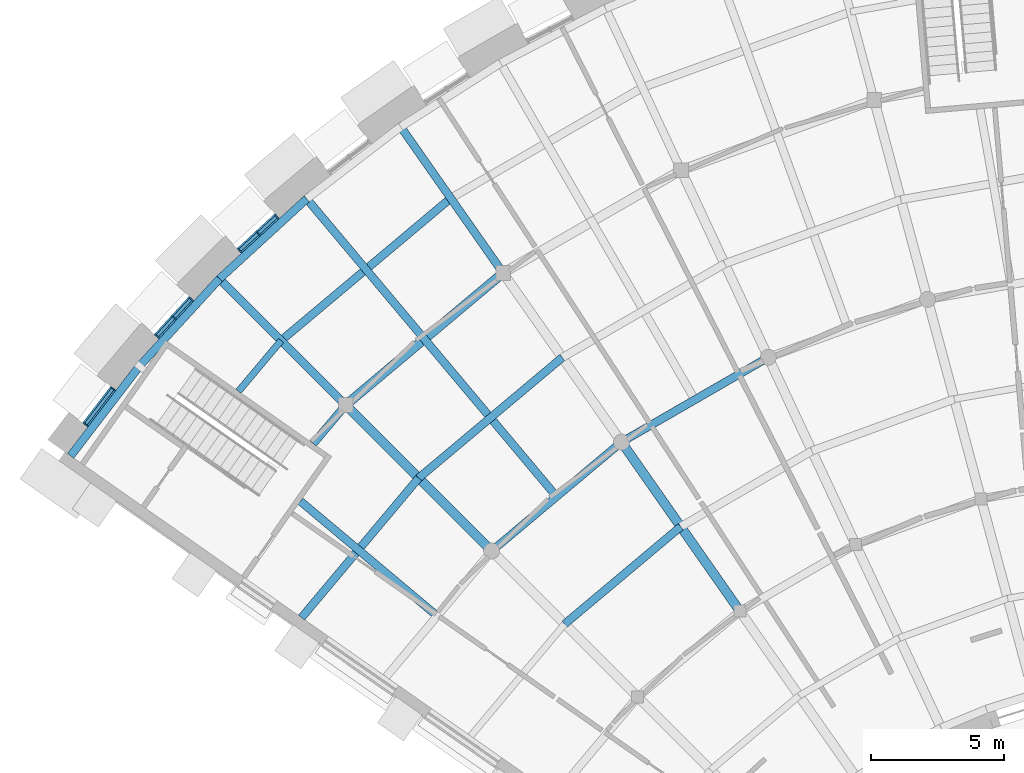
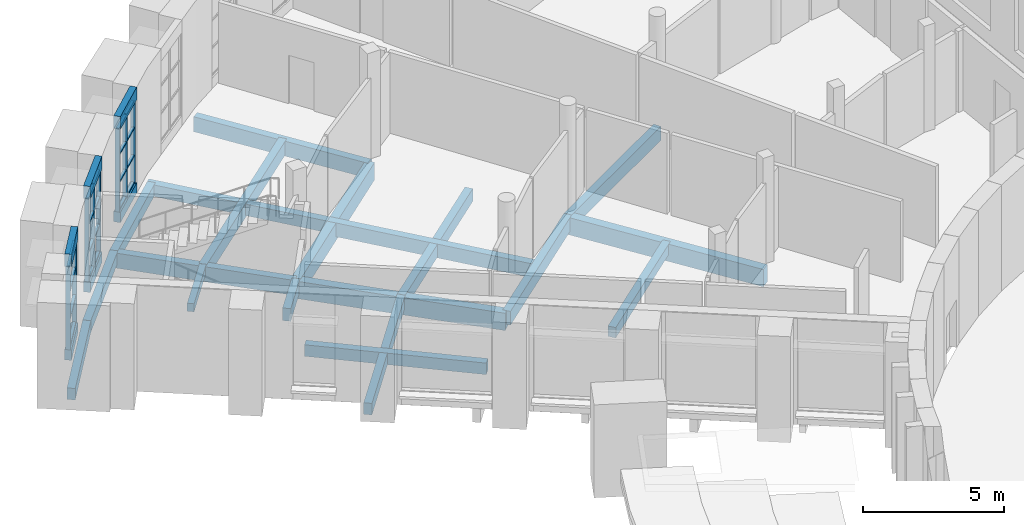
# One storey, part 9 of 50: 28 members, 25 beams, 3 elements without a shape of their own.
"""IFC4 building model written with IfcOpenShell, lengths in metres."""

from ifc_helpers import new_model, si_unit, direction, frame, origin, origin_2d, place, context, subcontext, project, spatial, rectangle, extrude, material, layer, layer_set, material_profile, profile_set, type_object, element, aggregate, save


model = new_model("IFC4")

# Units and contexts
model_context = context("Model", 3, precision=1e-05, world=origin(), true_north=direction((0.0, 1.0)))
body_context = subcontext(model_context, "Body", "Model", "MODEL_VIEW")
ifc_project = project(units=[si_unit("LENGTHUNIT", "METRE"), si_unit("AREAUNIT", "SQUARE_METRE"), si_unit("VOLUMEUNIT", "CUBIC_METRE"), si_unit("PLANEANGLEUNIT", "RADIAN"), si_unit("MASSUNIT", "GRAM", prefix="KILO")], contexts=[model_context])

# Site, building, storey
site_placement = place(None, origin())
site = spatial("IfcSite", under=ifc_project, at=site_placement, CompositionType="ELEMENT")
building_placement = place(site_placement, origin())
building = spatial("IfcBuilding", under=site, at=building_placement, Name="Volute Hill Aquarium", CompositionType="ELEMENT")
storey_placement = place(building_placement, frame((0.0, 0.0, 9.199951171875)))
storey = spatial("IfcBuildingStorey", under=building, at=storey_placement, Name="L03", CompositionType="ELEMENT", Elevation=9.199951171875)

# Beams
ifc_material_1 = material(Name="Concrete C35/45", Category="concrete")
ifc_material_profile_1 = material_profile(ifc_material_1, rectangle(XDim=0.300048828125, YDim=0.550048828125, at=origin_2d()), Name="RC beam 300x550")
ifc_profile_set_1 = profile_set([ifc_material_profile_1], Name="Concrete C35/45")
beam_type_1 = type_object("IfcBeamType", Name="Beam 300x550 C35/45", PredefinedType="BEAM", material=ifc_profile_set_1)
beam_1_placement = place(storey_placement, frame((-31.28955078125, 31.28955078125, -0.594970703125), z_axis=(-0.642771154276, -0.766058250547, 0.0), x_axis=(0.766058250547, -0.642771154276, 0.0)))
element("IfcBeam", 1, at=beam_1_placement, inside=storey, type_object=beam_type_1, Name="bm/S6/L03/ring3.31", PredefinedType="BEAM", context=body_context, shape_type="SweptSolid", body=[
    extrude(rectangle(XDim=0.300048828125, YDim=0.550048828125, at=origin_2d()), origin(), (0.0, 0.0, 1.0), 1.89111328125),
])
ifc_material_2 = material(Name="Concrete C35/45", Category="concrete")
ifc_material_profile_2 = material_profile(ifc_material_2, rectangle(XDim=0.300048828125, YDim=0.60009765625, at=origin_2d()), Name="RC beam 300x600")
ifc_profile_set_2 = profile_set([ifc_material_profile_2], Name="Concrete C35/45")
beam_type_2 = type_object("IfcBeamType", Name="Beam 300x600 C35/45", PredefinedType="BEAM", material=ifc_profile_set_2)
for number, where, z_axis, x_axis, name in (
    (2, (-15.425537109375, 33.080078125, -0.619873046875), (-0.866029029746, -0.499993719597, 0.0), (0.499993719597, -0.866029029746, 0.0), "bm/S6/L03/ring2.24"),
    (3, (-20.935546875, 29.89892578125, -0.619873046875), (-0.766043421596, -0.642788827088, 0.0), (0.642788827088, -0.766043421596, 0.0), "bm/S6/L03/ring2.25"),
):
    element("IfcBeam", number, at=place(storey_placement, frame(where, z_axis=z_axis, x_axis=x_axis)), inside=storey, type_object=beam_type_2, Name=name, PredefinedType="BEAM", context=body_context, shape_type="SweptSolid", body=[
        extrude(rectangle(XDim=0.300048828125, YDim=0.60009765625, at=origin_2d()), origin(), (0.0, 0.0, 1.0), 6.3623046875),
    ])
ifc_material_3 = material(Name="Concrete C35/45", Category="concrete")
ifc_material_profile_3 = material_profile(ifc_material_3, rectangle(XDim=0.300048828125, YDim=0.64990234375, at=origin_2d()), Name="RC beam 300x650")
ifc_profile_set_3 = profile_set([ifc_material_profile_3], Name="Concrete C35/45")
beam_type_3 = type_object("IfcBeamType", Name="Beam 300x650 C35/45", PredefinedType="BEAM", material=ifc_profile_set_3)
beam_2_placement = place(storey_placement, frame((-25.380859375, 36.24755859375, -0.64501953125), z_axis=(-0.573579548978, 0.819149864796, 0.0), x_axis=(-0.819149864796, -0.573579548978, 0.0)))
element("IfcBeam", 4, at=beam_2_placement, inside=storey, type_object=beam_type_3, Name="bm/S6/L03/rad3.12", PredefinedType="BEAM", context=body_context, shape_type="SweptSolid", body=[
    extrude(rectangle(XDim=0.300048828125, YDim=0.64990234375, at=origin_2d()), origin(), (0.0, 0.0, 1.0), 6.849853515625),
])
beam_3_placement = place(storey_placement, frame((-31.28955078125, 31.28955078125, -0.64501953125), z_axis=(-0.707106781187, 0.707106781187, 0.0), x_axis=(-0.707106781187, -0.707106781187, 0.0)))
element("IfcBeam", 5, at=beam_3_placement, inside=storey, type_object=beam_type_3, Name="bm/S6/L03/rad4.16", PredefinedType="BEAM", context=body_context, shape_type="SweptSolid", body=[
    extrude(rectangle(XDim=0.300048828125, YDim=0.64990234375, at=origin_2d()), origin(), (0.0, 0.0, 1.0), 6.85009765625),
])
ifc_material_4 = material(Name="Concrete C35/45", Category="concrete")
ifc_material_profile_4 = material_profile(ifc_material_4, rectangle(XDim=0.35009765625, YDim=0.75, at=origin_2d()), Name="RC beam 350x750")
ifc_profile_set_4 = profile_set([ifc_material_profile_4], Name="Concrete C35/45")
beam_type_4 = type_object("IfcBeamType", Name="Beam 350x750 C35/45", PredefinedType="BEAM", material=ifc_profile_set_4)
beam_4_placement = place(storey_placement, frame((-16.490234375, 23.550537109375, -0.695068359375), z_axis=(-0.573587076888, 0.819144593602, 0.0), x_axis=(-0.819144593602, -0.573587076888, 0.0)))
element("IfcBeam", 6, at=beam_4_placement, inside=storey, type_object=beam_type_4, Name="bm/S6/L03/rad3.10", PredefinedType="BEAM", context=body_context, shape_type="SweptSolid", body=[
    extrude(rectangle(XDim=0.35009765625, YDim=0.75, at=origin_2d()), origin(), (0.0, 0.0, 1.0), 7.75),
])
beam_5_placement = place(storey_placement, frame((-25.809326171875, 25.809326171875, -0.695068359375), z_axis=(-0.707106781187, 0.707106781187, 0.0), x_axis=(-0.707106781187, -0.707106781187, 0.0)))
element("IfcBeam", 7, at=beam_5_placement, inside=storey, type_object=beam_type_4, Name="bm/S6/L03/rad4.15", PredefinedType="BEAM", context=body_context, shape_type="SweptSolid", body=[
    extrude(rectangle(XDim=0.35009765625, YDim=0.75, at=origin_2d()), origin(), (0.0, 0.0, 1.0), 7.750244140625),
])
beam_6_placement = place(storey_placement, frame((-25.380859375, 36.24755859375, -0.695068359375), z_axis=(-0.766042717383, -0.642789666334, 0.0), x_axis=(0.642789666334, -0.766042717383, 0.0)))
element("IfcBeam", 8, at=beam_6_placement, inside=storey, type_object=beam_type_4, Name="bm/S6/L03/ring3.30", PredefinedType="BEAM", context=body_context, shape_type="SweptSolid", body=[
    extrude(rectangle(XDim=0.35009765625, YDim=0.75, at=origin_2d()), origin(), (0.0, 0.0, 1.0), 7.71337890625),
])

# Curtain wall, members
ifc_material_5 = material(Name="Aluminium", Category="aluminium")
ifc_layer_1 = layer(ifc_material_5, 0.25)
ifc_layer_set_1 = layer_set([ifc_layer_1], Name="Curtain wall niche S6 module 967")
curtain_wall_type_1 = type_object("IfcCurtainWallType", Name="Curtain wall niche S6 module 967", PredefinedType="NOTDEFINED", material=ifc_layer_set_1)
curtain_wall_1_placement = place(storey_placement, origin())
curtain_wall_1 = element("IfcCurtainWall", 9, at=curtain_wall_1_placement, inside=storey, type_object=curtain_wall_type_1, Name="Curtain wall CW S6 L03 8", PredefinedType="NOTDEFINED")
ifc_material_6 = material(Name="Aluminium", Category="aluminium")
ifc_material_profile_5 = material_profile(ifc_material_6, rectangle(XDim=0.169921875, YDim=0.050048828125, at=origin_2d()), Name="Curtain wall mullion S6 50x170")
ifc_profile_set_5 = profile_set([ifc_material_profile_5], Name="Aluminium")
member_type_1 = type_object("IfcMemberType", Name="Curtain wall mullion S6 50x170", PredefinedType="MULLION", material=ifc_profile_set_5)
member_1_placement = place(storey_placement, frame((-33.879638671875, 38.3671875, 0.449951171875), z_axis=(0.0, 0.0, 1.0), x_axis=(0.675582007635, -0.737284850624, 0.0)))
member_1 = element("IfcMember", 10, at=member_1_placement, type_object=member_type_1, Name="CW mullion 1", PredefinedType="MULLION", context=body_context, shape_type="SweptSolid", body=[
    extrude(rectangle(XDim=0.169921875, YDim=0.050048828125, at=origin_2d()), origin(), (0.0, 0.0, 1.0), 3.60009765625),
])
member_2_placement = place(storey_placement, frame((-34.573974609375, 37.73095703125, 0.449951171875), z_axis=(0.0, 0.0, 1.0), x_axis=(0.675582007635, -0.737284850624, 0.0)))
member_2 = element("IfcMember", 11, at=member_2_placement, type_object=member_type_1, Name="CW mullion 2", PredefinedType="MULLION", context=body_context, shape_type="SweptSolid", body=[
    extrude(rectangle(XDim=0.169921875, YDim=0.050048828125, at=origin_2d()), origin(), (0.0, 0.0, 1.0), 3.60009765625),
])
member_3_placement = place(storey_placement, frame((-35.268310546875, 37.094482421875, 0.449951171875), z_axis=(0.0, 0.0, 1.0), x_axis=(0.675582007635, -0.737284850624, 0.0)))
member_3 = element("IfcMember", 12, at=member_3_placement, type_object=member_type_1, Name="CW mullion 3", PredefinedType="MULLION", context=body_context, shape_type="SweptSolid", body=[
    extrude(rectangle(XDim=0.169921875, YDim=0.050048828125, at=origin_2d()), origin(), (0.0, 0.0, 1.0), 3.60009765625),
])

curtain_wall_2_placement = place(storey_placement, origin())
curtain_wall_2 = element("IfcCurtainWall", 13, at=curtain_wall_2_placement, inside=storey, type_object=curtain_wall_type_1, Name="Curtain wall CW S6 L03 9", PredefinedType="NOTDEFINED")
member_4_placement = place(storey_placement, frame((-37.094482421875, 35.268310546875, 0.449951171875), z_axis=(0.0, 0.0, 1.0), x_axis=(0.737284850624, -0.675582007635, 0.0)))
member_4 = element("IfcMember", 14, at=member_4_placement, type_object=member_type_1, Name="CW mullion 1", PredefinedType="MULLION", context=body_context, shape_type="SweptSolid", body=[
    extrude(rectangle(XDim=0.169921875, YDim=0.050048828125, at=origin_2d()), origin(), (0.0, 0.0, 1.0), 3.60009765625),
])
member_5_placement = place(storey_placement, frame((-37.73095703125, 34.573974609375, 0.449951171875), z_axis=(0.0, 0.0, 1.0), x_axis=(0.737284850624, -0.675582007635, 0.0)))
member_5 = element("IfcMember", 15, at=member_5_placement, type_object=member_type_1, Name="CW mullion 2", PredefinedType="MULLION", context=body_context, shape_type="SweptSolid", body=[
    extrude(rectangle(XDim=0.169921875, YDim=0.050048828125, at=origin_2d()), origin(), (0.0, 0.0, 1.0), 3.60009765625),
])
member_6_placement = place(storey_placement, frame((-38.3671875, 33.879638671875, 0.449951171875), z_axis=(0.0, 0.0, 1.0), x_axis=(0.737284850624, -0.675582007635, 0.0)))
member_6 = element("IfcMember", 16, at=member_6_placement, type_object=member_type_1, Name="CW mullion 3", PredefinedType="MULLION", context=body_context, shape_type="SweptSolid", body=[
    extrude(rectangle(XDim=0.169921875, YDim=0.050048828125, at=origin_2d()), origin(), (0.0, 0.0, 1.0), 3.60009765625),
])

ifc_material_7 = material(Name="Aluminium", Category="aluminium")
ifc_layer_2 = layer(ifc_material_7, 0.25)
ifc_layer_set_2 = layer_set([ifc_layer_2], Name="Curtain wall niche S6 module 1734")
curtain_wall_type_2 = type_object("IfcCurtainWallType", Name="Curtain wall niche S6 module 1734", PredefinedType="NOTDEFINED", material=ifc_layer_set_2)
curtain_wall_3_placement = place(storey_placement, origin())
curtain_wall_3 = element("IfcCurtainWall", 17, at=curtain_wall_3_placement, inside=storey, type_object=curtain_wall_type_2, Name="Curtain wall CW S6 L03 10", PredefinedType="NOTDEFINED")
member_7_placement = place(storey_placement, frame((-40.02734375, 31.901123046875, 0.449951171875), z_axis=(0.0, 0.0, 1.0), x_axis=(0.79334910739, -0.608766945394, 0.0)))
member_7 = element("IfcMember", 18, at=member_7_placement, type_object=member_type_1, Name="CW mullion 1", PredefinedType="MULLION", context=body_context, shape_type="SweptSolid", body=[
    extrude(rectangle(XDim=0.169921875, YDim=0.050048828125, at=origin_2d()), origin(), (0.0, 0.0, 1.0), 3.60009765625),
])
member_8_placement = place(storey_placement, frame((-41.052001953125, 30.5654296875, 0.449951171875), z_axis=(0.0, 0.0, 1.0), x_axis=(0.79334910739, -0.608766945394, 0.0)))
member_8 = element("IfcMember", 19, at=member_8_placement, type_object=member_type_1, Name="CW mullion 2", PredefinedType="MULLION", context=body_context, shape_type="SweptSolid", body=[
    extrude(rectangle(XDim=0.169921875, YDim=0.050048828125, at=origin_2d()), origin(), (0.0, 0.0, 1.0), 3.60009765625),
])

# Member
ifc_material_8 = material(Name="Aluminium", Category="aluminium")
ifc_material_profile_6 = material_profile(ifc_material_8, rectangle(XDim=0.1201171875, YDim=0.050048828125, at=origin_2d()), Name="Curtain wall transom S6 50x120")
ifc_profile_set_6 = profile_set([ifc_material_profile_6], Name="Aluminium")
member_type_2 = type_object("IfcMemberType", Name="Curtain wall transom S6 50x120", PredefinedType="USERDEFINED", material=ifc_profile_set_6)
member_9_placement = place(storey_placement, frame((-33.89794921875, 38.350341796875, 0.47509765625), z_axis=(-0.737358609817, -0.67550150298, 0.0), x_axis=(0.67550150298, -0.737358609817, 0.0)))
member_9 = element("IfcMember", 20, at=member_9_placement, type_object=member_type_2, Name="CW transom 1.1", ObjectType="TRANSOM", PredefinedType="USERDEFINED", context=body_context, shape_type="SweptSolid", body=[
    extrude(rectangle(XDim=0.1201171875, YDim=0.050048828125, at=origin_2d()), origin(), (0.0, 0.0, 1.0), 0.89208984375),
])

member_10_placement = place(storey_placement, frame((-33.89794921875, 38.350341796875, 1.650146484375), z_axis=(-0.737358609817, -0.67550150298, 0.0), x_axis=(0.67550150298, -0.737358609817, 0.0)))
member_10 = element("IfcMember", 21, at=member_10_placement, type_object=member_type_2, Name="CW transom 1.2", ObjectType="TRANSOM", PredefinedType="USERDEFINED", context=body_context, shape_type="SweptSolid", body=[
    extrude(rectangle(XDim=0.1201171875, YDim=0.050048828125, at=origin_2d()), origin(), (0.0, 0.0, 1.0), 0.89208984375),
])

member_11_placement = place(storey_placement, frame((-33.89794921875, 38.350341796875, 2.85009765625), z_axis=(-0.737358609817, -0.67550150298, 0.0), x_axis=(0.67550150298, -0.737358609817, 0.0)))
member_11 = element("IfcMember", 22, at=member_11_placement, type_object=member_type_2, Name="CW transom 1.3", ObjectType="TRANSOM", PredefinedType="USERDEFINED", context=body_context, shape_type="SweptSolid", body=[
    extrude(rectangle(XDim=0.1201171875, YDim=0.050048828125, at=origin_2d()), origin(), (0.0, 0.0, 1.0), 0.89208984375),
])

member_12_placement = place(storey_placement, frame((-33.89794921875, 38.350341796875, 4.025146484375), z_axis=(-0.737358609817, -0.67550150298, 0.0), x_axis=(0.67550150298, -0.737358609817, 0.0)))
member_12 = element("IfcMember", 23, at=member_12_placement, type_object=member_type_2, Name="CW transom 1.4", ObjectType="TRANSOM", PredefinedType="USERDEFINED", context=body_context, shape_type="SweptSolid", body=[
    extrude(rectangle(XDim=0.1201171875, YDim=0.050048828125, at=origin_2d()), origin(), (0.0, 0.0, 1.0), 0.89208984375),
])

member_13_placement = place(storey_placement, frame((-34.592529296875, 37.714111328125, 0.47509765625), z_axis=(-0.737097330145, -0.675786597894, 0.0), x_axis=(0.675786597894, -0.737097330145, 0.0)))
member_13 = element("IfcMember", 24, at=member_13_placement, type_object=member_type_2, Name="CW transom 2.1", ObjectType="TRANSOM", PredefinedType="USERDEFINED", context=body_context, shape_type="SweptSolid", body=[
    extrude(rectangle(XDim=0.1201171875, YDim=0.050048828125, at=origin_2d()), origin(), (0.0, 0.0, 1.0), 0.89208984375),
])

member_14_placement = place(storey_placement, frame((-34.592529296875, 37.714111328125, 1.650146484375), z_axis=(-0.737097330145, -0.675786597894, 0.0), x_axis=(0.675786597894, -0.737097330145, 0.0)))
member_14 = element("IfcMember", 25, at=member_14_placement, type_object=member_type_2, Name="CW transom 2.2", ObjectType="TRANSOM", PredefinedType="USERDEFINED", context=body_context, shape_type="SweptSolid", body=[
    extrude(rectangle(XDim=0.1201171875, YDim=0.050048828125, at=origin_2d()), origin(), (0.0, 0.0, 1.0), 0.89208984375),
])

member_15_placement = place(storey_placement, frame((-34.592529296875, 37.714111328125, 2.85009765625), z_axis=(-0.737097330145, -0.675786597894, 0.0), x_axis=(0.675786597894, -0.737097330145, 0.0)))
member_15 = element("IfcMember", 26, at=member_15_placement, type_object=member_type_2, Name="CW transom 2.3", ObjectType="TRANSOM", PredefinedType="USERDEFINED", context=body_context, shape_type="SweptSolid", body=[
    extrude(rectangle(XDim=0.1201171875, YDim=0.050048828125, at=origin_2d()), origin(), (0.0, 0.0, 1.0), 0.89208984375),
])

member_16_placement = place(storey_placement, frame((-34.592529296875, 37.714111328125, 4.025146484375), z_axis=(-0.737097330145, -0.675786597894, 0.0), x_axis=(0.675786597894, -0.737097330145, 0.0)))
member_16 = element("IfcMember", 27, at=member_16_placement, type_object=member_type_2, Name="CW transom 2.4", ObjectType="TRANSOM", PredefinedType="USERDEFINED", context=body_context, shape_type="SweptSolid", body=[
    extrude(rectangle(XDim=0.1201171875, YDim=0.050048828125, at=origin_2d()), origin(), (0.0, 0.0, 1.0), 0.89208984375),
])

aggregate(curtain_wall_1, [member_1, member_2, member_3, member_9, member_10, member_11, member_12, member_13, member_14, member_15, member_16])

member_17_placement = place(storey_placement, frame((-37.111328125, 35.25, 0.47509765625), z_axis=(-0.675786597894, -0.737097330145, 0.0), x_axis=(0.737097330145, -0.675786597894, 0.0)))
member_17 = element("IfcMember", 28, at=member_17_placement, type_object=member_type_2, Name="CW transom 1.1", ObjectType="TRANSOM", PredefinedType="USERDEFINED", context=body_context, shape_type="SweptSolid", body=[
    extrude(rectangle(XDim=0.1201171875, YDim=0.050048828125, at=origin_2d()), origin(), (0.0, 0.0, 1.0), 0.89208984375),
])

member_18_placement = place(storey_placement, frame((-37.111328125, 35.25, 1.650146484375), z_axis=(-0.675786597894, -0.737097330145, 0.0), x_axis=(0.737097330145, -0.675786597894, 0.0)))
member_18 = element("IfcMember", 29, at=member_18_placement, type_object=member_type_2, Name="CW transom 1.2", ObjectType="TRANSOM", PredefinedType="USERDEFINED", context=body_context, shape_type="SweptSolid", body=[
    extrude(rectangle(XDim=0.1201171875, YDim=0.050048828125, at=origin_2d()), origin(), (0.0, 0.0, 1.0), 0.89208984375),
])

member_19_placement = place(storey_placement, frame((-37.111328125, 35.25, 2.85009765625), z_axis=(-0.675786597894, -0.737097330145, 0.0), x_axis=(0.737097330145, -0.675786597894, 0.0)))
member_19 = element("IfcMember", 30, at=member_19_placement, type_object=member_type_2, Name="CW transom 1.3", ObjectType="TRANSOM", PredefinedType="USERDEFINED", context=body_context, shape_type="SweptSolid", body=[
    extrude(rectangle(XDim=0.1201171875, YDim=0.050048828125, at=origin_2d()), origin(), (0.0, 0.0, 1.0), 0.89208984375),
])

member_20_placement = place(storey_placement, frame((-37.111328125, 35.25, 4.025146484375), z_axis=(-0.675786597894, -0.737097330145, 0.0), x_axis=(0.737097330145, -0.675786597894, 0.0)))
member_20 = element("IfcMember", 31, at=member_20_placement, type_object=member_type_2, Name="CW transom 1.4", ObjectType="TRANSOM", PredefinedType="USERDEFINED", context=body_context, shape_type="SweptSolid", body=[
    extrude(rectangle(XDim=0.1201171875, YDim=0.050048828125, at=origin_2d()), origin(), (0.0, 0.0, 1.0), 0.89208984375),
])

member_21_placement = place(storey_placement, frame((-37.747802734375, 34.5556640625, 0.47509765625), z_axis=(-0.67550150298, -0.737358609817, 0.0), x_axis=(0.737358609817, -0.67550150298, 0.0)))
member_21 = element("IfcMember", 32, at=member_21_placement, type_object=member_type_2, Name="CW transom 2.1", ObjectType="TRANSOM", PredefinedType="USERDEFINED", context=body_context, shape_type="SweptSolid", body=[
    extrude(rectangle(XDim=0.1201171875, YDim=0.050048828125, at=origin_2d()), origin(), (0.0, 0.0, 1.0), 0.89208984375),
])

member_22_placement = place(storey_placement, frame((-37.747802734375, 34.5556640625, 1.650146484375), z_axis=(-0.67550150298, -0.737358609817, 0.0), x_axis=(0.737358609817, -0.67550150298, 0.0)))
member_22 = element("IfcMember", 33, at=member_22_placement, type_object=member_type_2, Name="CW transom 2.2", ObjectType="TRANSOM", PredefinedType="USERDEFINED", context=body_context, shape_type="SweptSolid", body=[
    extrude(rectangle(XDim=0.1201171875, YDim=0.050048828125, at=origin_2d()), origin(), (0.0, 0.0, 1.0), 0.89208984375),
])

member_23_placement = place(storey_placement, frame((-37.747802734375, 34.5556640625, 2.85009765625), z_axis=(-0.67550150298, -0.737358609817, 0.0), x_axis=(0.737358609817, -0.67550150298, 0.0)))
member_23 = element("IfcMember", 34, at=member_23_placement, type_object=member_type_2, Name="CW transom 2.3", ObjectType="TRANSOM", PredefinedType="USERDEFINED", context=body_context, shape_type="SweptSolid", body=[
    extrude(rectangle(XDim=0.1201171875, YDim=0.050048828125, at=origin_2d()), origin(), (0.0, 0.0, 1.0), 0.89208984375),
])

member_24_placement = place(storey_placement, frame((-37.747802734375, 34.5556640625, 4.025146484375), z_axis=(-0.67550150298, -0.737358609817, 0.0), x_axis=(0.737358609817, -0.67550150298, 0.0)))
member_24 = element("IfcMember", 35, at=member_24_placement, type_object=member_type_2, Name="CW transom 2.4", ObjectType="TRANSOM", PredefinedType="USERDEFINED", context=body_context, shape_type="SweptSolid", body=[
    extrude(rectangle(XDim=0.1201171875, YDim=0.050048828125, at=origin_2d()), origin(), (0.0, 0.0, 1.0), 0.89208984375),
])

aggregate(curtain_wall_2, [member_4, member_5, member_6, member_17, member_18, member_19, member_20, member_21, member_22, member_23, member_24])

member_25_placement = place(storey_placement, frame((-40.04248046875, 31.88134765625, 0.47509765625), z_axis=(-0.608764095787, -0.793351293993, 0.0), x_axis=(0.793351293993, -0.608764095787, 0.0)))
member_25 = element("IfcMember", 36, at=member_25_placement, type_object=member_type_2, Name="CW transom 1.1", ObjectType="TRANSOM", PredefinedType="USERDEFINED", context=body_context, shape_type="SweptSolid", body=[
    extrude(rectangle(XDim=0.1201171875, YDim=0.050048828125, at=origin_2d()), origin(), (0.0, 0.0, 1.0), 1.633544921875),
])

member_26_placement = place(storey_placement, frame((-40.04248046875, 31.88134765625, 1.650146484375), z_axis=(-0.608764095787, -0.793351293993, 0.0), x_axis=(0.793351293993, -0.608764095787, 0.0)))
member_26 = element("IfcMember", 37, at=member_26_placement, type_object=member_type_2, Name="CW transom 1.2", ObjectType="TRANSOM", PredefinedType="USERDEFINED", context=body_context, shape_type="SweptSolid", body=[
    extrude(rectangle(XDim=0.1201171875, YDim=0.050048828125, at=origin_2d()), origin(), (0.0, 0.0, 1.0), 1.633544921875),
])

member_27_placement = place(storey_placement, frame((-40.04248046875, 31.88134765625, 2.85009765625), z_axis=(-0.608764095787, -0.793351293993, 0.0), x_axis=(0.793351293993, -0.608764095787, 0.0)))
member_27 = element("IfcMember", 38, at=member_27_placement, type_object=member_type_2, Name="CW transom 1.3", ObjectType="TRANSOM", PredefinedType="USERDEFINED", context=body_context, shape_type="SweptSolid", body=[
    extrude(rectangle(XDim=0.1201171875, YDim=0.050048828125, at=origin_2d()), origin(), (0.0, 0.0, 1.0), 1.633544921875),
])

member_28_placement = place(storey_placement, frame((-40.04248046875, 31.88134765625, 4.025146484375), z_axis=(-0.608764095787, -0.793351293993, 0.0), x_axis=(0.793351293993, -0.608764095787, 0.0)))
member_28 = element("IfcMember", 39, at=member_28_placement, type_object=member_type_2, Name="CW transom 1.4", ObjectType="TRANSOM", PredefinedType="USERDEFINED", context=body_context, shape_type="SweptSolid", body=[
    extrude(rectangle(XDim=0.1201171875, YDim=0.050048828125, at=origin_2d()), origin(), (0.0, 0.0, 1.0), 1.633544921875),
])

aggregate(curtain_wall_3, [member_7, member_8, member_25, member_26, member_27, member_28])

# Beams
ifc_material_9 = material(Name="Concrete C35/45", Category="concrete")
ifc_material_profile_7 = material_profile(ifc_material_9, rectangle(XDim=0.300048828125, YDim=0.5, at=origin_2d()), Name="RC edge beam 300x500")
ifc_profile_set_7 = profile_set([ifc_material_profile_7], Name="Concrete C35/45")
beam_type_5 = type_object("IfcBeamType", Name="Edge beam 300x500 C35/45", PredefinedType="BEAM", material=ifc_profile_set_7)
for number, where, z_axis, x_axis, name in (
    (40, (-32.75, 39.02978515625, -0.570068359375), (-0.737302325193, -0.675562936568, 0.0), (0.675562936568, -0.737302325193, 0.0), "bm/S6/L03/edgeO.49"),
    (41, (-36.027099609375, 36.027099609375, -0.570068359375), (-0.675562936568, -0.737302325193, 0.0), (0.737302325193, -0.675562936568, 0.0), "bm/S6/L03/edgeO.50"),
):
    element("IfcBeam", number, at=place(storey_placement, frame(where, z_axis=z_axis, x_axis=x_axis)), inside=storey, type_object=beam_type_5, Name=name, PredefinedType="BEAM", context=body_context, shape_type="SweptSolid", body=[
        extrude(rectangle(XDim=0.300048828125, YDim=0.5, at=origin_2d()), origin(), (0.0, 0.0, 1.0), 4.44482421875),
    ])
beam_7_placement = place(storey_placement, frame((-39.02978515625, 32.75, -0.570068359375), z_axis=(-0.60877080013, -0.793346149489, 0.0), x_axis=(0.793346149489, -0.60877080013, 0.0)))
element("IfcBeam", 42, at=beam_7_placement, inside=storey, type_object=beam_type_5, Name="bm/S6/L03/edgeO.51", PredefinedType="BEAM", context=body_context, shape_type="SweptSolid", body=[
    extrude(rectangle(XDim=0.300048828125, YDim=0.5, at=origin_2d()), origin(), (0.0, 0.0, 1.0), 4.24462890625),
])
ifc_material_10 = material(Name="Concrete C35/45", Category="concrete")
ifc_material_profile_8 = material_profile(ifc_material_10, rectangle(XDim=0.25, YDim=0.35009765625, at=origin_2d()), Name="RC joist 250x350")
ifc_profile_set_8 = profile_set([ifc_material_profile_8], Name="Concrete C35/45")
beam_type_6 = type_object("IfcBeamType", Name="Joist 250x350 C35/45", PredefinedType="BEAM", material=ifc_profile_set_8)
beam_8_placement = place(storey_placement, frame((-33.711181640625, 33.711181640625, -0.494873046875), z_axis=(-0.642902089518, -0.765948368556, 0.0), x_axis=(0.765948368556, -0.642902089518, 0.0)))
element("IfcBeam", 43, at=beam_8_placement, inside=storey, type_object=beam_type_6, Name="bm/S6/L03/jst20", PredefinedType="BEAM", context=body_context, shape_type="SweptSolid", body=[
    extrude(rectangle(XDim=0.25, YDim=0.35009765625, at=origin_2d()), origin(), (0.0, 0.0, 1.0), 2.488037109375),
])
ifc_material_11 = material(Name="Concrete C35/45", Category="concrete")
ifc_material_profile_9 = material_profile(ifc_material_11, rectangle(XDim=0.300048828125, YDim=0.449951171875, at=origin_2d()), Name="RC joist 300x450")
ifc_profile_set_9 = profile_set([ifc_material_profile_9], Name="Concrete C35/45")
beam_type_7 = type_object("IfcBeamType", Name="Joist 300x450 C35/45", PredefinedType="BEAM", material=ifc_profile_set_9)
beam_9_placement = place(storey_placement, frame((-18.712890625, 26.724853515625, -0.544921875), z_axis=(-0.766042198561, -0.642790284637, 0.0), x_axis=(0.642790284637, -0.766042198561, 0.0)))
element("IfcBeam", 44, at=beam_9_placement, inside=storey, type_object=beam_type_7, Name="bm/S6/L03/jst9", PredefinedType="BEAM", context=body_context, shape_type="SweptSolid", body=[
    extrude(rectangle(XDim=0.300048828125, YDim=0.449951171875, at=origin_2d()), origin(), (0.0, 0.0, 1.0), 5.68701171875),
])
ifc_material_12 = material(Name="Concrete C35/45", Category="concrete")
ifc_material_profile_10 = material_profile(ifc_material_12, rectangle(XDim=0.300048828125, YDim=0.5, at=origin_2d()), Name="RC joist 300x500")
ifc_profile_set_10 = profile_set([ifc_material_profile_10], Name="Concrete C35/45")
beam_type_8 = type_object("IfcBeamType", Name="Joist 300x500 C35/45", PredefinedType="BEAM", material=ifc_profile_set_10)
beam_10_placement = place(storey_placement, frame((-28.54931640625, 28.54931640625, -0.570068359375), z_axis=(-0.642800909983, -0.766033282648, 0.0), x_axis=(0.766033282648, -0.642800909983, 0.0)))
element("IfcBeam", 45, at=beam_10_placement, inside=storey, type_object=beam_type_8, Name="bm/S6/L03/jst15", PredefinedType="BEAM", context=body_context, shape_type="SweptSolid", body=[
    extrude(rectangle(XDim=0.300048828125, YDim=0.5, at=origin_2d()), origin(), (0.0, 0.0, 1.0), 6.8369140625),
])
beam_11_placement = place(storey_placement, frame((-27.960693359375, 23.461669921875, -0.570068359375), z_axis=(-0.766030833177, 0.642803829035, 0.0), x_axis=(-0.642803829035, -0.766030833177, 0.0)))
element("IfcBeam", 46, at=beam_11_placement, inside=storey, type_object=beam_type_8, Name="bm/S6/L03/rjst5", PredefinedType="BEAM", context=body_context, shape_type="SweptSolid", body=[
    extrude(rectangle(XDim=0.300048828125, YDim=0.5, at=origin_2d()), origin(), (0.0, 0.0, 1.0), 6.563720703125),
])
beam_12_placement = place(storey_placement, frame((-28.443359375, 33.8974609375, -0.570068359375), z_axis=(-0.64277490452, 0.76605510384, 0.0), x_axis=(-0.76605510384, -0.64277490452, 0.0)))
element("IfcBeam", 47, at=beam_12_placement, inside=storey, type_object=beam_type_8, Name="bm/S6/L03/rjst9", PredefinedType="BEAM", context=body_context, shape_type="SweptSolid", body=[
    extrude(rectangle(XDim=0.300048828125, YDim=0.5, at=origin_2d()), origin(), (0.0, 0.0, 1.0), 6.85009765625),
])
ifc_material_13 = material(Name="Concrete C35/45", Category="concrete")
ifc_material_profile_11 = material_profile(ifc_material_13, rectangle(XDim=0.300048828125, YDim=0.550048828125, at=origin_2d()), Name="RC joist 300x550")
ifc_profile_set_11 = profile_set([ifc_material_profile_11], Name="Concrete C35/45")
beam_type_9 = type_object("IfcBeamType", Name="Joist 300x550 C35/45", PredefinedType="BEAM", material=ifc_profile_set_11)
beam_13_placement = place(storey_placement, frame((-23.158203125, 33.0732421875, -0.594970703125), z_axis=(-0.766027328083, -0.64280800604, 0.0), x_axis=(0.64280800604, -0.766027328083, 0.0)))
element("IfcBeam", 48, at=beam_13_placement, inside=storey, type_object=beam_type_9, Name="bm/S6/L03/jst14", PredefinedType="BEAM", context=body_context, shape_type="SweptSolid", body=[
    extrude(rectangle(XDim=0.300048828125, YDim=0.550048828125, at=origin_2d()), origin(), (0.0, 0.0, 1.0), 7.037841796875),
])
ifc_material_14 = material(Name="Concrete C35/45", Category="concrete")
ifc_material_profile_12 = material_profile(ifc_material_14, rectangle(XDim=0.300048828125, YDim=0.60009765625, at=origin_2d()), Name="RC joist 300x600")
ifc_profile_set_12 = profile_set([ifc_material_profile_12], Name="Concrete C35/45")
beam_type_10 = type_object("IfcBeamType", Name="Joist 300x600 C35/45", PredefinedType="BEAM", material=ifc_profile_set_12)
beam_14_placement = place(storey_placement, frame((-27.34521484375, 39.052978515625, -0.619873046875), z_axis=(-0.76603754112, -0.642795835079, 0.0), x_axis=(0.642795835079, -0.76603754112, 0.0)))
element("IfcBeam", 49, at=beam_14_placement, inside=storey, type_object=beam_type_10, Name="bm/S6/L03/jst19", PredefinedType="BEAM", context=body_context, shape_type="SweptSolid", body=[
    extrude(rectangle(XDim=0.300048828125, YDim=0.60009765625, at=origin_2d()), origin(), (0.0, 0.0, 1.0), 8.310302734375),
])
beam_15_placement = place(storey_placement, frame((-23.461669921875, 27.960693359375, -0.619873046875), z_axis=(-0.642798965079, 0.76603491467, 0.0), x_axis=(-0.76603491467, -0.642798965079, 0.0)))
element("IfcBeam", 50, at=beam_15_placement, inside=storey, type_object=beam_type_10, Name="bm/S6/L03/rjst4", PredefinedType="BEAM", context=body_context, shape_type="SweptSolid", body=[
    extrude(rectangle(XDim=0.300048828125, YDim=0.60009765625, at=origin_2d()), origin(), (0.0, 0.0, 1.0), 7.75),
])
ifc_material_15 = material(Name="Concrete C35/45", Category="concrete")
ifc_material_profile_13 = material_profile(ifc_material_15, rectangle(XDim=0.25, YDim=0.550048828125, at=origin_2d()), Name="RC beam 250x550")
ifc_profile_set_13 = profile_set([ifc_material_profile_13], Name="Concrete C35/45")
beam_type_11 = type_object("IfcBeamType", Name="Niche head beam RC 250x550 C35/45", PredefinedType="BEAM", material=ifc_profile_set_13)
for number, where, z_axis, x_axis, name in (
    (51, (-33.861083984375, 38.384033203125, 4.324951171875), (-0.73730085884, -0.675564536927, 0.0), (0.675564536927, -0.73730085884, 0.0), "Niche head beam OWB S6 L03 8"),
    (52, (-37.07763671875, 35.286865234375, 4.324951171875), (-0.675564536927, -0.73730085884, 0.0), (0.73730085884, -0.675564536927, 0.0), "Niche head beam OWB S6 L03 9"),
):
    element("IfcBeam", number, at=place(storey_placement, frame(where, z_axis=z_axis, x_axis=x_axis)), inside=storey, type_object=beam_type_11, Name=name, PredefinedType="BEAM", context=body_context, shape_type="SweptSolid", body=[
        extrude(rectangle(XDim=0.25, YDim=0.550048828125, at=origin_2d()), origin(), (0.0, 0.0, 1.0), 1.933837890625),
    ])
beam_16_placement = place(storey_placement, frame((-40.011962890625, 31.9208984375, 4.324951171875), z_axis=(-0.608818785139, -0.79330932609, 0.0), x_axis=(0.79330932609, -0.608818785139, 0.0)))
element("IfcBeam", 53, at=beam_16_placement, inside=storey, type_object=beam_type_11, Name="Niche head beam OWB S6 L03 10", PredefinedType="BEAM", context=body_context, shape_type="SweptSolid", body=[
    extrude(rectangle(XDim=0.25, YDim=0.550048828125, at=origin_2d()), origin(), (0.0, 0.0, 1.0), 1.733642578125),
])
ifc_material_16 = material(Name="Concrete C35/45", Category="concrete")
ifc_material_profile_14 = material_profile(ifc_material_16, rectangle(XDim=0.25, YDim=0.449951171875, at=origin_2d()), Name="RC beam 250x450")
ifc_profile_set_14 = profile_set([ifc_material_profile_14], Name="Concrete C35/45")
beam_type_12 = type_object("IfcBeamType", Name="Niche sill beam RC 250x450 C35/45", PredefinedType="BEAM", material=ifc_profile_set_14)
for number, where, z_axis, x_axis, name in (
    (54, (-33.861083984375, 38.384033203125, 0.22509765625), (-0.73730085884, -0.675564536927, 0.0), (0.675564536927, -0.73730085884, 0.0), "Niche sill beam OWB S6 L03 8"),
    (55, (-37.07763671875, 35.286865234375, 0.22509765625), (-0.675564536927, -0.73730085884, 0.0), (0.73730085884, -0.675564536927, 0.0), "Niche sill beam OWB S6 L03 9"),
):
    element("IfcBeam", number, at=place(storey_placement, frame(where, z_axis=z_axis, x_axis=x_axis)), inside=storey, type_object=beam_type_12, Name=name, PredefinedType="BEAM", context=body_context, shape_type="SweptSolid", body=[
        extrude(rectangle(XDim=0.25, YDim=0.449951171875, at=origin_2d()), origin(), (0.0, 0.0, 1.0), 1.933837890625),
    ])
beam_17_placement = place(storey_placement, frame((-40.011962890625, 31.9208984375, 0.22509765625), z_axis=(-0.608818785139, -0.79330932609, 0.0), x_axis=(0.79330932609, -0.608818785139, 0.0)))
element("IfcBeam", 56, at=beam_17_placement, inside=storey, type_object=beam_type_12, Name="Niche sill beam OWB S6 L03 10", PredefinedType="BEAM", context=body_context, shape_type="SweptSolid", body=[
    extrude(rectangle(XDim=0.25, YDim=0.449951171875, at=origin_2d()), origin(), (0.0, 0.0, 1.0), 1.733642578125),
])

save(model, "model.ifc")
